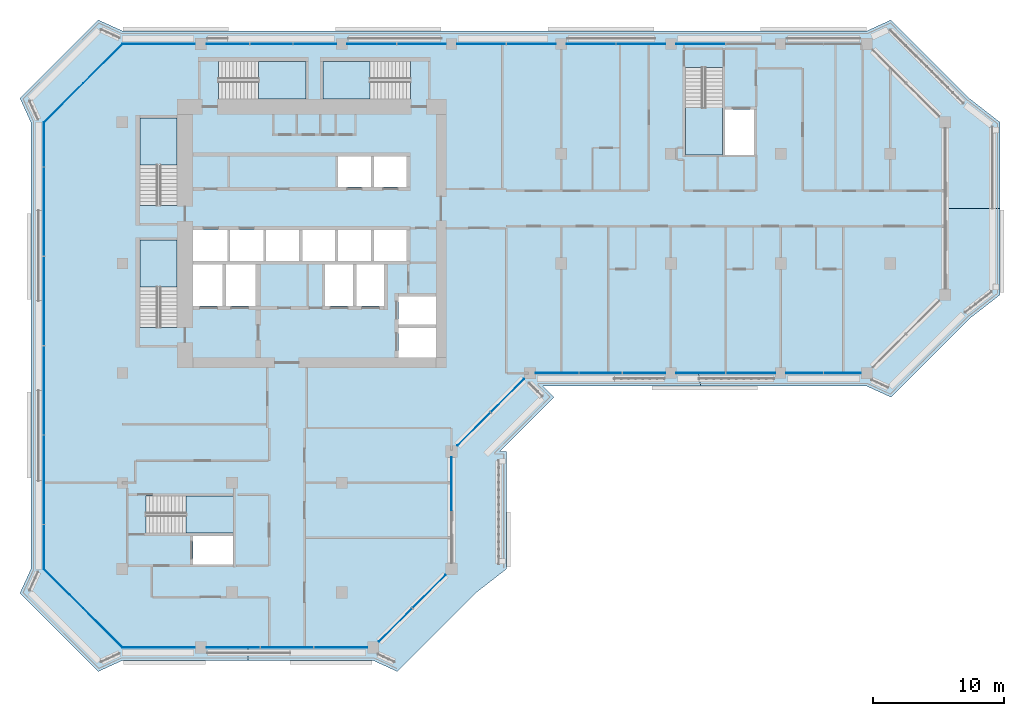
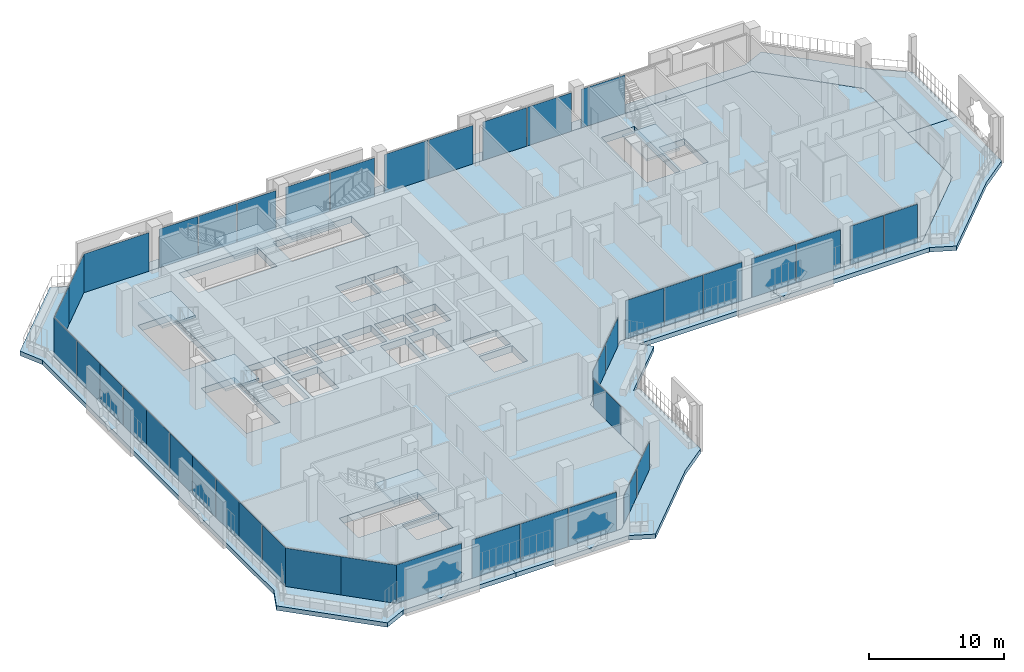
# One storey, part 8 of 21: 41 plates, 10 slabs, 15 elements without a shape of their own.
"""IFC4 building model written with IfcOpenShell, lengths in metres."""

from ifc_helpers import new_model, si_unit, direction, frame, origin, origin_2d, place, context, subcontext, project, spatial, polyline, rectangle, outline, extrude, material, layer, layer_set, type_object, element, aggregate, save


model = new_model("IFC4")

# Units and contexts
model_context = context("Model", 3, precision=1e-05, world=origin(), true_north=direction((0.0, 1.0)))
body_context = subcontext(model_context, "Body", "Model", "MODEL_VIEW")
ifc_project = project(units=[si_unit("LENGTHUNIT", "METRE"), si_unit("AREAUNIT", "SQUARE_METRE"), si_unit("VOLUMEUNIT", "CUBIC_METRE"), si_unit("PLANEANGLEUNIT", "RADIAN"), si_unit("MASSUNIT", "GRAM", prefix="KILO")], contexts=[model_context])

# Site, building, storey
site_placement = place(None, origin())
site = spatial("IfcSite", under=ifc_project, at=site_placement, CompositionType="ELEMENT")
building_placement = place(site_placement, origin())
building = spatial("IfcBuilding", under=site, at=building_placement, Name="Kawkab Arch Medical Tower", CompositionType="ELEMENT")
storey_placement = place(building_placement, frame((0.0, 0.0, 243.199951171875)))
storey = spatial("IfcBuildingStorey", under=building, at=storey_placement, Name="L56", CompositionType="ELEMENT", Elevation=243.199951171875)

# Curtain wall, plates
ifc_material_1 = material(Name="Bronze anodised aluminium curtain wall frame", Category="aluminium")
ifc_layer_1 = layer(ifc_material_1, 0.159912109375)
ifc_layer_set_1 = layer_set([ifc_layer_1], Name="Bronze anodised aluminium curtain wall frame")
curtain_wall_type_1 = type_object("IfcCurtainWallType", Name="CW1 ward curtain wall", PredefinedType="NOTDEFINED", material=ifc_layer_set_1)
placement_1 = place(storey_placement, origin())
curtain_wall_1 = element("IfcCurtainWall", 1, at=placement_1, inside=storey, type_object=curtain_wall_type_1, Name="CW1 Ward curtain wall R01", PredefinedType="NOTDEFINED")
ifc_material_2 = material(Name="Tinted insulating glass, bronze low-e coating", Category="glass")
ifc_layer_2 = layer(ifc_material_2, 0.031982421875)
ifc_layer_set_2 = layer_set([ifc_layer_2], Name="Tinted insulating glass, bronze low-e coating")
plate_type_1 = type_object("IfcPlateType", Name="CW1 glazing unit 32", PredefinedType="CURTAIN_PANEL", material=ifc_layer_set_2)
plate_1_placement = place(storey_placement, frame((-6.0, -7.695068359375, 0.0), z_axis=(0.0, 0.0, 1.0), x_axis=(0.0, -1.0, 0.0)))
plate_1 = element("IfcPlate", 2, at=plate_1_placement, type_object=plate_type_1, Name="CW1 glazing unit 1.1", PredefinedType="CURTAIN_PANEL", context=body_context, shape_type="SweptSolid", body=[
    extrude(rectangle(XDim=3.389892578125, YDim=0.031982421875, at=origin_2d()), origin(), (0.0, 0.0, 1.0), 3.47998046875),
])
plate_2_placement = place(storey_placement, frame((-6.0, -11.14501953125, 0.0), z_axis=(0.0, 0.0, 1.0), x_axis=(0.0, -1.0, 0.0)))
plate_2 = element("IfcPlate", 3, at=plate_2_placement, type_object=plate_type_1, Name="CW1 glazing unit 1.2", PredefinedType="CURTAIN_PANEL", context=body_context, shape_type="SweptSolid", body=[
    extrude(rectangle(XDim=3.389892578125, YDim=0.031982421875, at=origin_2d()), origin(), (0.0, 0.0, 1.0), 3.47998046875),
])
plate_3_placement = place(storey_placement, frame((-6.0, -14.534912109375, 0.0), z_axis=(0.0, 0.0, 1.0), x_axis=(0.0, -1.0, 0.0)))
plate_3 = element("IfcPlate", 4, at=plate_3_placement, type_object=plate_type_1, Name="CW1 glazing unit 2.1", PredefinedType="CURTAIN_PANEL", context=body_context, shape_type="SweptSolid", body=[
    extrude(rectangle(XDim=3.389892578125, YDim=0.031982421875, at=origin_2d()), origin(), (0.0, 0.0, 1.0), 3.47998046875),
])
plate_4_placement = place(storey_placement, frame((-6.0, -17.985107421875, 0.0), z_axis=(0.0, 0.0, 1.0), x_axis=(0.0, -1.0, 0.0)))
plate_4 = element("IfcPlate", 5, at=plate_4_placement, type_object=plate_type_1, Name="CW1 glazing unit 2.2", PredefinedType="CURTAIN_PANEL", context=body_context, shape_type="SweptSolid", body=[
    extrude(rectangle(XDim=3.389892578125, YDim=0.031982421875, at=origin_2d()), origin(), (0.0, 0.0, 1.0), 3.47998046875),
])
plate_5_placement = place(storey_placement, frame((-6.0, -21.375, 0.0), z_axis=(0.0, 0.0, 1.0), x_axis=(0.0, -1.0, 0.0)))
plate_5 = element("IfcPlate", 6, at=plate_5_placement, type_object=plate_type_1, Name="CW1 glazing unit 3.1", PredefinedType="CURTAIN_PANEL", context=body_context, shape_type="SweptSolid", body=[
    extrude(rectangle(XDim=3.389892578125, YDim=0.031982421875, at=origin_2d()), origin(), (0.0, 0.0, 1.0), 3.47998046875),
])
plate_6_placement = place(storey_placement, frame((-6.0, -24.824951171875, 0.0), z_axis=(0.0, 0.0, 1.0), x_axis=(0.0, -1.0, 0.0)))
plate_6 = element("IfcPlate", 7, at=plate_6_placement, type_object=plate_type_1, Name="CW1 glazing unit 3.2", PredefinedType="CURTAIN_PANEL", context=body_context, shape_type="SweptSolid", body=[
    extrude(rectangle(XDim=3.389892578125, YDim=0.031982421875, at=origin_2d()), origin(), (0.0, 0.0, 1.0), 3.47998046875),
])
plate_7_placement = place(storey_placement, frame((-6.0, -28.215087890625, 0.0), z_axis=(0.0, 0.0, 1.0), x_axis=(0.0, -1.0, 0.0)))
plate_7 = element("IfcPlate", 8, at=plate_7_placement, type_object=plate_type_1, Name="CW1 glazing unit 4.1", PredefinedType="CURTAIN_PANEL", context=body_context, shape_type="SweptSolid", body=[
    extrude(rectangle(XDim=3.389892578125, YDim=0.031982421875, at=origin_2d()), origin(), (0.0, 0.0, 1.0), 3.47998046875),
])
plate_8_placement = place(storey_placement, frame((-6.0, -31.6650390625, 0.0), z_axis=(0.0, 0.0, 1.0), x_axis=(0.0, -1.0, 0.0)))
plate_8 = element("IfcPlate", 9, at=plate_8_placement, type_object=plate_type_1, Name="CW1 glazing unit 4.2", PredefinedType="CURTAIN_PANEL", context=body_context, shape_type="SweptSolid", body=[
    extrude(rectangle(XDim=3.389892578125, YDim=0.031982421875, at=origin_2d()), origin(), (0.0, 0.0, 1.0), 3.47998046875),
])
plate_9_placement = place(storey_placement, frame((-6.0, -35.054931640625, 0.0), z_axis=(0.0, 0.0, 1.0), x_axis=(0.0, -1.0, 0.0)))
plate_9 = element("IfcPlate", 10, at=plate_9_placement, type_object=plate_type_1, Name="CW1 glazing unit 5.1", PredefinedType="CURTAIN_PANEL", context=body_context, shape_type="SweptSolid", body=[
    extrude(rectangle(XDim=3.389892578125, YDim=0.031982421875, at=origin_2d()), origin(), (0.0, 0.0, 1.0), 3.47998046875),
])
plate_10_placement = place(storey_placement, frame((-6.0, -38.5048828125, 0.0), z_axis=(0.0, 0.0, 1.0), x_axis=(0.0, -1.0, 0.0)))
plate_10 = element("IfcPlate", 11, at=plate_10_placement, type_object=plate_type_1, Name="CW1 glazing unit 5.2", PredefinedType="CURTAIN_PANEL", context=body_context, shape_type="SweptSolid", body=[
    extrude(rectangle(XDim=3.389892578125, YDim=0.031982421875, at=origin_2d()), origin(), (0.0, 0.0, 1.0), 3.47998046875),
])
aggregate(curtain_wall_1, [plate_1, plate_2, plate_3, plate_4, plate_5, plate_6, plate_7, plate_8, plate_9, plate_10])

curtain_wall_2 = element("IfcCurtainWall", 12, at=placement_1, inside=storey, type_object=curtain_wall_type_1, Name="CW1 Ward curtain wall R03", PredefinedType="NOTDEFINED")
plate_11_placement = place(storey_placement, frame((2.77490234375, -46.199951171875, 0.0), z_axis=(0.0, 0.0, 1.0), x_axis=(1.0, 0.0, 0.0)))
plate_11 = element("IfcPlate", 13, at=plate_11_placement, type_object=plate_type_1, Name="CW1 glazing unit 1.1", PredefinedType="CURTAIN_PANEL", context=body_context, shape_type="SweptSolid", body=[
    extrude(rectangle(XDim=5.550048828125, YDim=0.031982421875, at=origin_2d()), origin(), (0.0, 0.0, 1.0), 3.47998046875),
])
plate_12_placement = place(storey_placement, frame((8.485107421875, -46.199951171875, 0.0), z_axis=(0.0, 0.0, 1.0), x_axis=(1.0, 0.0, 0.0)))
plate_12 = element("IfcPlate", 14, at=plate_12_placement, type_object=plate_type_1, Name="CW1 glazing unit 2.1", PredefinedType="CURTAIN_PANEL", context=body_context, shape_type="SweptSolid", body=[
    extrude(rectangle(XDim=4.070068359375, YDim=0.031982421875, at=origin_2d()), origin(), (0.0, 0.0, 1.0), 3.47998046875),
])
plate_13_placement = place(storey_placement, frame((12.60009765625, -46.199951171875, 0.0), z_axis=(0.0, 0.0, 1.0), x_axis=(1.0, 0.0, 0.0)))
plate_13 = element("IfcPlate", 15, at=plate_13_placement, type_object=plate_type_1, Name="CW1 glazing unit 2.2", PredefinedType="CURTAIN_PANEL", context=body_context, shape_type="SweptSolid", body=[
    extrude(rectangle(XDim=4.0400390625, YDim=0.031982421875, at=origin_2d()), origin(), (0.0, 0.0, 1.0), 3.47998046875),
])
plate_14_placement = place(storey_placement, frame((16.715087890625, -46.199951171875, 0.0), z_axis=(0.0, 0.0, 1.0), x_axis=(1.0, 0.0, 0.0)))
plate_14 = element("IfcPlate", 16, at=plate_14_placement, type_object=plate_type_1, Name="CW1 glazing unit 2.3", PredefinedType="CURTAIN_PANEL", context=body_context, shape_type="SweptSolid", body=[
    extrude(rectangle(XDim=4.070068359375, YDim=0.031982421875, at=origin_2d()), origin(), (0.0, 0.0, 1.0), 3.47998046875),
])
aggregate(curtain_wall_2, [plate_11, plate_12, plate_13, plate_14])

# Curtain wall, plate
curtain_wall_3 = element("IfcCurtainWall", 17, at=placement_1, inside=storey, type_object=curtain_wall_type_1, Name="CW1 Ward curtain wall R05", PredefinedType="NOTDEFINED")
plate_15_placement = place(storey_placement, frame((25.199951171875, -33.675048828125, 0.0), z_axis=(0.0, 0.0, 1.0), x_axis=(0.0, 1.0, 0.0)))
plate_15 = element("IfcPlate", 18, at=plate_15_placement, type_object=plate_type_1, Name="CW1 glazing unit 1.2", PredefinedType="CURTAIN_PANEL", context=body_context, shape_type="SweptSolid", body=[
    extrude(rectangle(XDim=4.050048828125, YDim=0.031982421875, at=origin_2d()), origin(), (0.0, 0.0, 1.0), 2.580078125),
])
aggregate(curtain_wall_3, [plate_15])

# Curtain wall, plates
curtain_wall_4 = element("IfcCurtainWall", 19, at=placement_1, inside=storey, type_object=curtain_wall_type_1, Name="CW1 Ward curtain wall R07", PredefinedType="NOTDEFINED")
plate_16_placement = place(storey_placement, frame((33.2890625, -25.199951171875, 0.0), z_axis=(0.0, 0.0, 1.0), x_axis=(1.0, 0.0, 0.0)))
plate_16 = element("IfcPlate", 20, at=plate_16_placement, type_object=plate_type_1, Name="CW1 glazing unit 1.1", PredefinedType="CURTAIN_PANEL", context=body_context, shape_type="SweptSolid", body=[
    extrude(rectangle(XDim=3.2783203125, YDim=0.031982421875, at=origin_2d()), origin(), (0.0, 0.0, 1.0), 3.47998046875),
])
plate_17_placement = place(storey_placement, frame((36.612548828125, -25.199951171875, 0.0), z_axis=(0.0, 0.0, 1.0), x_axis=(1.0, 0.0, 0.0)))
plate_17 = element("IfcPlate", 21, at=plate_17_placement, type_object=plate_type_1, Name="CW1 glazing unit 1.2", PredefinedType="CURTAIN_PANEL", context=body_context, shape_type="SweptSolid", body=[
    extrude(rectangle(XDim=3.248291015625, YDim=0.031982421875, at=origin_2d()), origin(), (0.0, 0.0, 1.0), 3.47998046875),
])
plate_18_placement = place(storey_placement, frame((39.935791015625, -25.199951171875, 0.0), z_axis=(0.0, 0.0, 1.0), x_axis=(1.0, 0.0, 0.0)))
plate_18 = element("IfcPlate", 22, at=plate_18_placement, type_object=plate_type_1, Name="CW1 glazing unit 1.3", PredefinedType="CURTAIN_PANEL", context=body_context, shape_type="SweptSolid", body=[
    extrude(rectangle(XDim=3.2783203125, YDim=0.031982421875, at=origin_2d()), origin(), (0.0, 0.0, 1.0), 3.47998046875),
])
plate_19_placement = place(storey_placement, frame((44.297607421875, -25.199951171875, 0.0), z_axis=(0.0, 0.0, 1.0), x_axis=(1.0, 0.0, 0.0)))
plate_19 = element("IfcPlate", 23, at=plate_19_placement, type_object=plate_type_1, Name="CW1 glazing unit 2.1", PredefinedType="CURTAIN_PANEL", context=body_context, shape_type="SweptSolid", body=[
    extrude(rectangle(XDim=3.7451171875, YDim=0.031982421875, at=origin_2d()), origin(), (0.0, 0.0, 1.0), 3.47998046875),
])
plate_20_placement = place(storey_placement, frame((48.1025390625, -25.199951171875, 0.0), z_axis=(0.0, 0.0, 1.0), x_axis=(1.0, 0.0, 0.0)))
plate_20 = element("IfcPlate", 24, at=plate_20_placement, type_object=plate_type_1, Name="CW1 glazing unit 2.2", PredefinedType="CURTAIN_PANEL", context=body_context, shape_type="SweptSolid", body=[
    extrude(rectangle(XDim=3.7451171875, YDim=0.031982421875, at=origin_2d()), origin(), (0.0, 0.0, 1.0), 3.47998046875),
])
plate_21_placement = place(storey_placement, frame((52.2412109375, -25.199951171875, 0.0), z_axis=(0.0, 0.0, 1.0), x_axis=(1.0, 0.0, 0.0)))
plate_21 = element("IfcPlate", 25, at=plate_21_placement, type_object=plate_type_1, Name="CW1 glazing unit 3.1", PredefinedType="CURTAIN_PANEL", context=body_context, shape_type="SweptSolid", body=[
    extrude(rectangle(XDim=2.83251953125, YDim=0.031982421875, at=origin_2d()), origin(), (0.0, 0.0, 1.0), 3.47998046875),
])
plate_22_placement = place(storey_placement, frame((55.1337890625, -25.199951171875, 0.0), z_axis=(0.0, 0.0, 1.0), x_axis=(1.0, 0.0, 0.0)))
plate_22 = element("IfcPlate", 26, at=plate_22_placement, type_object=plate_type_1, Name="CW1 glazing unit 3.2", PredefinedType="CURTAIN_PANEL", context=body_context, shape_type="SweptSolid", body=[
    extrude(rectangle(XDim=2.83251953125, YDim=0.031982421875, at=origin_2d()), origin(), (0.0, 0.0, 1.0), 3.47998046875),
])
aggregate(curtain_wall_4, [plate_16, plate_17, plate_18, plate_19, plate_20, plate_21, plate_22])

curtain_wall_5 = element("IfcCurtainWall", 27, at=placement_1, inside=storey, type_object=curtain_wall_type_1, Name="CW1 Ward curtain wall R11", PredefinedType="NOTDEFINED")
plate_23_placement = place(storey_placement, frame((44.297607421875, 0.0, 0.0), z_axis=(0.0, 0.0, 1.0), x_axis=(-1.0, 0.0, 0.0)))
plate_23 = element("IfcPlate", 28, at=plate_23_placement, type_object=plate_type_1, Name="CW1 glazing unit 2.2", PredefinedType="CURTAIN_PANEL", context=body_context, shape_type="SweptSolid", body=[
    extrude(rectangle(XDim=3.7451171875, YDim=0.031982421875, at=origin_2d()), origin(), (0.0, 0.0, 1.0), 3.47998046875),
])
plate_24_placement = place(storey_placement, frame((39.702392578125, 0.0, 0.0), z_axis=(0.0, 0.0, 1.0), x_axis=(-1.0, 0.0, 0.0)))
plate_24 = element("IfcPlate", 29, at=plate_24_placement, type_object=plate_type_1, Name="CW1 glazing unit 3.1", PredefinedType="CURTAIN_PANEL", context=body_context, shape_type="SweptSolid", body=[
    extrude(rectangle(XDim=3.7451171875, YDim=0.031982421875, at=origin_2d()), origin(), (0.0, 0.0, 1.0), 3.47998046875),
])
plate_25_placement = place(storey_placement, frame((35.8974609375, 0.0, 0.0), z_axis=(0.0, 0.0, 1.0), x_axis=(-1.0, 0.0, 0.0)))
plate_25 = element("IfcPlate", 30, at=plate_25_placement, type_object=plate_type_1, Name="CW1 glazing unit 3.2", PredefinedType="CURTAIN_PANEL", context=body_context, shape_type="SweptSolid", body=[
    extrude(rectangle(XDim=3.7451171875, YDim=0.031982421875, at=origin_2d()), origin(), (0.0, 0.0, 1.0), 3.47998046875),
])
plate_26_placement = place(storey_placement, frame((31.302490234375, 0.0, 0.0), z_axis=(0.0, 0.0, 1.0), x_axis=(-1.0, 0.0, 0.0)))
plate_26 = element("IfcPlate", 31, at=plate_26_placement, type_object=plate_type_1, Name="CW1 glazing unit 4.1", PredefinedType="CURTAIN_PANEL", context=body_context, shape_type="SweptSolid", body=[
    extrude(rectangle(XDim=3.7451171875, YDim=0.031982421875, at=origin_2d()), origin(), (0.0, 0.0, 1.0), 3.47998046875),
])
plate_27_placement = place(storey_placement, frame((27.49755859375, 0.0, 0.0), z_axis=(0.0, 0.0, 1.0), x_axis=(-1.0, 0.0, 0.0)))
plate_27 = element("IfcPlate", 32, at=plate_27_placement, type_object=plate_type_1, Name="CW1 glazing unit 4.2", PredefinedType="CURTAIN_PANEL", context=body_context, shape_type="SweptSolid", body=[
    extrude(rectangle(XDim=3.7451171875, YDim=0.031982421875, at=origin_2d()), origin(), (0.0, 0.0, 1.0), 3.47998046875),
])
plate_28_placement = place(storey_placement, frame((22.902587890625, 0.0, 0.0), z_axis=(0.0, 0.0, 1.0), x_axis=(-1.0, 0.0, 0.0)))
plate_28 = element("IfcPlate", 33, at=plate_28_placement, type_object=plate_type_1, Name="CW1 glazing unit 5.1", PredefinedType="CURTAIN_PANEL", context=body_context, shape_type="SweptSolid", body=[
    extrude(rectangle(XDim=3.7451171875, YDim=0.031982421875, at=origin_2d()), origin(), (0.0, 0.0, 1.0), 3.47998046875),
])
plate_29_placement = place(storey_placement, frame((19.097412109375, 0.0, 0.0), z_axis=(0.0, 0.0, 1.0), x_axis=(-1.0, 0.0, 0.0)))
plate_29 = element("IfcPlate", 34, at=plate_29_placement, type_object=plate_type_1, Name="CW1 glazing unit 5.2", PredefinedType="CURTAIN_PANEL", context=body_context, shape_type="SweptSolid", body=[
    extrude(rectangle(XDim=3.7451171875, YDim=0.031982421875, at=origin_2d()), origin(), (0.0, 0.0, 1.0), 3.47998046875),
])
plate_30_placement = place(storey_placement, frame((14.73583984375, 0.0, 0.0), z_axis=(0.0, 0.0, 1.0), x_axis=(-1.0, 0.0, 0.0)))
plate_30 = element("IfcPlate", 35, at=plate_30_placement, type_object=plate_type_1, Name="CW1 glazing unit 6.1", PredefinedType="CURTAIN_PANEL", context=body_context, shape_type="SweptSolid", body=[
    extrude(rectangle(XDim=3.2783203125, YDim=0.031982421875, at=origin_2d()), origin(), (0.0, 0.0, 1.0), 3.47998046875),
])
plate_31_placement = place(storey_placement, frame((11.41259765625, 0.0, 0.0), z_axis=(0.0, 0.0, 1.0), x_axis=(-1.0, 0.0, 0.0)))
plate_31 = element("IfcPlate", 36, at=plate_31_placement, type_object=plate_type_1, Name="CW1 glazing unit 6.2", PredefinedType="CURTAIN_PANEL", context=body_context, shape_type="SweptSolid", body=[
    extrude(rectangle(XDim=3.248291015625, YDim=0.031982421875, at=origin_2d()), origin(), (0.0, 0.0, 1.0), 3.47998046875),
])
plate_32_placement = place(storey_placement, frame((8.089111328125, 0.0, 0.0), z_axis=(0.0, 0.0, 1.0), x_axis=(-1.0, 0.0, 0.0)))
plate_32 = element("IfcPlate", 37, at=plate_32_placement, type_object=plate_type_1, Name="CW1 glazing unit 6.3", PredefinedType="CURTAIN_PANEL", context=body_context, shape_type="SweptSolid", body=[
    extrude(rectangle(XDim=3.2783203125, YDim=0.031982421875, at=origin_2d()), origin(), (0.0, 0.0, 1.0), 3.47998046875),
])
plate_33_placement = place(storey_placement, frame((2.77490234375, 0.0, 0.0), z_axis=(0.0, 0.0, 1.0), x_axis=(-1.0, 0.0, 0.0)))
plate_33 = element("IfcPlate", 38, at=plate_33_placement, type_object=plate_type_1, Name="CW1 glazing unit 7.1", PredefinedType="CURTAIN_PANEL", context=body_context, shape_type="SweptSolid", body=[
    extrude(rectangle(XDim=5.550048828125, YDim=0.031982421875, at=origin_2d()), origin(), (0.0, 0.0, 1.0), 3.47998046875),
])
aggregate(curtain_wall_5, [plate_23, plate_24, plate_25, plate_26, plate_27, plate_28, plate_29, plate_30, plate_31, plate_32, plate_33])

ifc_material_3 = material(Name="Bronze anodised aluminium curtain wall frame", Category="aluminium")
ifc_layer_3 = layer(ifc_material_3, 0.159912109375)
ifc_layer_set_3 = layer_set([ifc_layer_3], Name="Bronze anodised aluminium curtain wall frame")
curtain_wall_type_2 = type_object("IfcCurtainWallType", Name="CW2 chamfer curtain wall", PredefinedType="NOTDEFINED", material=ifc_layer_set_3)
curtain_wall_6 = element("IfcCurtainWall", 39, at=placement_1, inside=storey, type_object=curtain_wall_type_2, Name="CW2 Chamfer curtain wall R02", PredefinedType="NOTDEFINED")
ifc_material_4 = material(Name="Tinted insulating glass, bronze low-e coating", Category="glass")
ifc_layer_4 = layer(ifc_material_4, 0.031982421875)
ifc_layer_set_4 = layer_set([ifc_layer_4], Name="Tinted insulating glass, bronze low-e coating")
plate_type_2 = type_object("IfcPlateType", Name="CW2 glazing unit 32", PredefinedType="CURTAIN_PANEL", material=ifc_layer_set_4)
plate_34_placement = place(storey_placement, frame((-4.5, -41.699951171875, 0.0), z_axis=(0.0, 0.0, 1.0), x_axis=(0.707106781187, -0.707106781187, 0.0)))
plate_34 = element("IfcPlate", 40, at=plate_34_placement, type_object=plate_type_2, Name="CW2 glazing unit 1.1", PredefinedType="CURTAIN_PANEL", context=body_context, shape_type="SweptSolid", body=[
    extrude(rectangle(XDim=4.24267578125, YDim=0.031982421875, at=origin_2d()), origin(), (0.0, 0.0, 1.0), 3.4599609375),
])
plate_35_placement = place(storey_placement, frame((-1.5, -44.699951171875, 0.0), z_axis=(0.0, 0.0, 1.0), x_axis=(0.707106781187, -0.707106781187, 0.0)))
plate_35 = element("IfcPlate", 41, at=plate_35_placement, type_object=plate_type_2, Name="CW2 glazing unit 2.1", PredefinedType="CURTAIN_PANEL", context=body_context, shape_type="SweptSolid", body=[
    extrude(rectangle(XDim=4.24267578125, YDim=0.031982421875, at=origin_2d()), origin(), (0.0, 0.0, 1.0), 3.4599609375),
])
aggregate(curtain_wall_6, [plate_34, plate_35])

curtain_wall_7 = element("IfcCurtainWall", 42, at=placement_1, inside=storey, type_object=curtain_wall_type_2, Name="CW2 Chamfer curtain wall R04", PredefinedType="NOTDEFINED")
plate_36_placement = place(storey_placement, frame((20.914306640625, -44.485595703125, 0.0), z_axis=(0.0, 0.0, 1.0), x_axis=(0.707106781187, 0.707106781187, 0.0)))
plate_36 = element("IfcPlate", 43, at=plate_36_placement, type_object=plate_type_2, Name="CW2 glazing unit 1.1", PredefinedType="CURTAIN_PANEL", context=body_context, shape_type="SweptSolid", body=[
    extrude(rectangle(XDim=3.576171875, YDim=0.031982421875, at=origin_2d()), origin(), (0.0, 0.0, 1.0), 2.56005859375),
])
plate_37_placement = place(storey_placement, frame((23.485595703125, -41.914306640625, 0.0), z_axis=(0.0, 0.0, 1.0), x_axis=(0.707106781187, 0.707106781187, 0.0)))
plate_37 = element("IfcPlate", 44, at=plate_37_placement, type_object=plate_type_2, Name="CW2 glazing unit 1.2", PredefinedType="CURTAIN_PANEL", context=body_context, shape_type="SweptSolid", body=[
    extrude(rectangle(XDim=3.576171875, YDim=0.031982421875, at=origin_2d()), origin(), (0.0, 0.0, 1.0), 2.56005859375),
])
aggregate(curtain_wall_7, [plate_36, plate_37])

curtain_wall_8 = element("IfcCurtainWall", 45, at=placement_1, inside=storey, type_object=curtain_wall_type_2, Name="CW2 Chamfer curtain wall R06", PredefinedType="NOTDEFINED")
plate_38_placement = place(storey_placement, frame((26.914306640625, -29.485595703125, 0.0), z_axis=(0.0, 0.0, 1.0), x_axis=(0.707106781187, 0.707106781187, 0.0)))
plate_38 = element("IfcPlate", 46, at=plate_38_placement, type_object=plate_type_2, Name="CW2 glazing unit 1.1", PredefinedType="CURTAIN_PANEL", context=body_context, shape_type="SweptSolid", body=[
    extrude(rectangle(XDim=3.576171875, YDim=0.031982421875, at=origin_2d()), origin(), (0.0, 0.0, 1.0), 2.56005859375),
])
plate_39_placement = place(storey_placement, frame((29.485595703125, -26.914306640625, 0.0), z_axis=(0.0, 0.0, 1.0), x_axis=(0.707106781187, 0.707106781187, 0.0)))
plate_39 = element("IfcPlate", 47, at=plate_39_placement, type_object=plate_type_2, Name="CW2 glazing unit 1.2", PredefinedType="CURTAIN_PANEL", context=body_context, shape_type="SweptSolid", body=[
    extrude(rectangle(XDim=3.576171875, YDim=0.031982421875, at=origin_2d()), origin(), (0.0, 0.0, 1.0), 2.56005859375),
])
aggregate(curtain_wall_8, [plate_38, plate_39])

curtain_wall_9 = element("IfcCurtainWall", 48, at=placement_1, inside=storey, type_object=curtain_wall_type_2, Name="CW2 Chamfer curtain wall R12", PredefinedType="NOTDEFINED")
plate_40_placement = place(storey_placement, frame((-1.5, -1.5, 0.0), z_axis=(0.0, 0.0, 1.0), x_axis=(-0.707106781187, -0.707106781187, 0.0)))
plate_40 = element("IfcPlate", 49, at=plate_40_placement, type_object=plate_type_2, Name="CW2 glazing unit 1.1", PredefinedType="CURTAIN_PANEL", context=body_context, shape_type="SweptSolid", body=[
    extrude(rectangle(XDim=4.24267578125, YDim=0.031982421875, at=origin_2d()), origin(), (0.0, 0.0, 1.0), 3.4599609375),
])
plate_41_placement = place(storey_placement, frame((-4.5, -4.5, 0.0), z_axis=(0.0, 0.0, 1.0), x_axis=(-0.707106781187, -0.707106781187, 0.0)))
plate_41 = element("IfcPlate", 50, at=plate_41_placement, type_object=plate_type_2, Name="CW2 glazing unit 2.1", PredefinedType="CURTAIN_PANEL", context=body_context, shape_type="SweptSolid", body=[
    extrude(rectangle(XDim=4.24267578125, YDim=0.031982421875, at=origin_2d()), origin(), (0.0, 0.0, 1.0), 3.4599609375),
])
aggregate(curtain_wall_9, [plate_40, plate_41])

# Stair, slab
ifc_material_5 = material(Name="Concrete C40/50", Category="concrete")
stair_type = type_object("IfcStairType", Name="Exit stair 1350", PredefinedType="HALF_TURN_STAIR", material=ifc_material_5)
stair_1 = element("IfcStair", 51, at=placement_1, inside=storey, type_object=stair_type, Name="L56 Exit stair ST1", PredefinedType="HALF_TURN_STAIR")
ifc_material_6 = material(Name="Concrete C40/50", Category="concrete")
ifc_layer_5 = layer(ifc_material_6, 0.199951171875)
ifc_layer_set_5 = layer_set([ifc_layer_5], Name="Concrete C40/50")
slab_type_1 = type_object("IfcSlabType", Name="Exit stair landing 200", PredefinedType="LANDING", material=ifc_layer_set_5)
placement_2 = place(storey_placement, frame((0.0, 0.0, 1.900146484375)))
slab_1 = element("IfcSlab", 52, at=placement_2, type_object=slab_type_1, Name="ST1 landing 1", PredefinedType="LANDING", context=body_context, shape_type="SweptSolid", body=[
    extrude(outline(polyline([(4.199951171875, -9.27001953125), (4.199951171875, -5.64990234375), (1.35009765625, -5.64990234375), (1.35009765625, -9.27001953125), (4.199951171875, -9.27001953125)])), origin(), (0.0, 0.0, 1.0), 0.199951171875),
])
aggregate(stair_1, [slab_1])

stair_2 = element("IfcStair", 53, at=placement_1, inside=storey, type_object=stair_type, Name="L56 Exit stair ST2", PredefinedType="HALF_TURN_STAIR")
slab_2 = element("IfcSlab", 54, at=placement_2, type_object=slab_type_1, Name="ST2 landing 1", PredefinedType="LANDING", context=body_context, shape_type="SweptSolid", body=[
    extrude(outline(polyline([(4.199951171875, -18.6201171875), (4.199951171875, -15.0), (1.35009765625, -15.0), (1.35009765625, -18.6201171875), (4.199951171875, -18.6201171875)])), origin(), (0.0, 0.0, 1.0), 0.199951171875),
])
aggregate(stair_2, [slab_2])

stair_3 = element("IfcStair", 55, at=placement_1, inside=storey, type_object=stair_type, Name="L56 Exit stair ST3", PredefinedType="HALF_TURN_STAIR")
slab_3 = element("IfcSlab", 56, at=placement_2, type_object=slab_type_1, Name="ST3 landing 1", PredefinedType="LANDING", context=body_context, shape_type="SweptSolid", body=[
    extrude(outline(polyline([(10.429931640625, -4.199951171875), (14.050048828125, -4.199951171875), (14.050048828125, -1.35009765625), (10.429931640625, -1.35009765625), (10.429931640625, -4.199951171875)])), origin(), (0.0, 0.0, 1.0), 0.199951171875),
])
aggregate(stair_3, [slab_3])

stair_4 = element("IfcStair", 57, at=placement_1, inside=storey, type_object=stair_type, Name="L56 Exit stair ST4", PredefinedType="HALF_TURN_STAIR")
slab_4 = element("IfcSlab", 58, at=placement_2, type_object=slab_type_1, Name="ST4 landing 1", PredefinedType="LANDING", context=body_context, shape_type="SweptSolid", body=[
    extrude(outline(polyline([(18.969970703125, -1.35009765625), (15.35009765625, -1.35009765625), (15.35009765625, -4.199951171875), (18.969970703125, -4.199951171875), (18.969970703125, -1.35009765625)])), origin(), (0.0, 0.0, 1.0), 0.199951171875),
])
aggregate(stair_4, [slab_4])

stair_5 = element("IfcStair", 59, at=placement_1, inside=storey, type_object=stair_type, Name="L56 Exit stair ST5", PredefinedType="HALF_TURN_STAIR")
slab_5 = element("IfcSlab", 60, at=placement_2, type_object=slab_type_1, Name="ST5 landing 1", PredefinedType="LANDING", context=body_context, shape_type="SweptSolid", body=[
    extrude(outline(polyline([(43.10009765625, -4.8798828125), (43.10009765625, -8.5), (45.949951171875, -8.5), (45.949951171875, -4.8798828125), (43.10009765625, -4.8798828125)])), origin(), (0.0, 0.0, 1.0), 0.199951171875),
])
aggregate(stair_5, [slab_5])

stair_6 = element("IfcStair", 61, at=placement_1, inside=storey, type_object=stair_type, Name="L56 Exit stair ST6", PredefinedType="HALF_TURN_STAIR")
slab_6 = element("IfcSlab", 62, at=placement_2, type_object=slab_type_1, Name="ST6 landing 1", PredefinedType="LANDING", context=body_context, shape_type="SweptSolid", body=[
    extrude(outline(polyline([(4.8798828125, -37.449951171875), (8.5, -37.449951171875), (8.5, -34.60009765625), (4.8798828125, -34.60009765625), (4.8798828125, -37.449951171875)])), origin(), (0.0, 0.0, 1.0), 0.199951171875),
])
aggregate(stair_6, [slab_6])

# Slabs
ifc_material_7 = material(Name="Concrete C45/55", Category="concrete")
ifc_layer_6 = layer(ifc_material_7, 0.60009765625)
ifc_layer_set_6 = layer_set([ifc_layer_6], Name="Concrete C45/55")
slab_type_2 = type_object("IfcSlabType", Name="Flat plate 600 C45/55", PredefinedType="FLOOR", material=ifc_layer_set_6)
slab_7_placement = place(storey_placement, frame((0.0, 0.0, -0.599853515625)))
element("IfcSlab", 63, at=slab_7_placement, inside=storey, type_object=slab_type_2, Name="Floor slab L56", PredefinedType="FLOOR", context=body_context, shape_type="SweptSolid", body=[
    extrude(outline(polyline([(0.0, 0.0), (57.0, 0.0), (63.0, -6.0), (63.0, -19.199951171875), (57.0, -25.199951171875), (31.199951171875, -25.199951171875), (25.199951171875, -31.199951171875), (25.199951171875, -40.199951171875), (19.199951171875, -46.199951171875), (0.0, -46.199951171875), (-6.0, -40.199951171875), (-6.0, -6.0), (0.0, 0.0)]), holes=[polyline([(5.425048828125, -37.64990234375), (5.425048828125, -39.85009765625), (8.5, -39.85009765625), (8.5, -37.64990234375), (5.425048828125, -37.64990234375)]), polyline([(8.5, -37.449951171875), (8.5, -34.60009765625), (1.800048828125, -34.60009765625), (1.800048828125, -37.449951171875), (8.5, -37.449951171875)]), polyline([(5.39990234375, -20.050048828125), (7.675048828125, -20.050048828125), (7.675048828125, -16.89990234375), (5.39990234375, -16.89990234375), (5.39990234375, -20.050048828125)]), polyline([(10.199951171875, -20.050048828125), (10.199951171875, -16.89990234375), (7.925048828125, -16.89990234375), (7.925048828125, -20.050048828125), (10.199951171875, -20.050048828125)]), polyline([(4.199951171875, -21.699951171875), (4.199951171875, -15.0), (1.35009765625, -15.0), (1.35009765625, -21.699951171875), (4.199951171875, -21.699951171875)]), polyline([(5.39990234375, -16.60009765625), (8.050048828125, -16.60009765625), (8.050048828125, -14.25), (5.39990234375, -14.25), (5.39990234375, -16.60009765625)]), polyline([(10.800048828125, -16.60009765625), (10.800048828125, -14.25), (8.25, -14.25), (8.25, -16.60009765625), (10.800048828125, -16.60009765625)]), polyline([(11.0, -16.60009765625), (13.52490234375, -16.60009765625), (13.52490234375, -14.25), (11.0, -14.25), (11.0, -16.60009765625)]), polyline([(16.27490234375, -16.60009765625), (16.27490234375, -14.25), (13.77490234375, -14.25), (13.77490234375, -16.60009765625), (16.27490234375, -16.60009765625)]), polyline([(4.199951171875, -12.35009765625), (4.199951171875, -5.64990234375), (1.35009765625, -5.64990234375), (1.35009765625, -12.35009765625), (4.199951171875, -12.35009765625)]), polyline([(7.35009765625, -4.199951171875), (14.050048828125, -4.199951171875), (14.050048828125, -1.35009765625), (7.35009765625, -1.35009765625), (7.35009765625, -4.199951171875)]), polyline([(24.0, -21.72509765625), (21.14990234375, -21.72509765625), (21.14990234375, -24.0), (24.0, -24.0), (24.0, -21.72509765625)]), polyline([(24.0, -19.35009765625), (21.14990234375, -19.35009765625), (21.14990234375, -21.47509765625), (24.0, -21.47509765625), (24.0, -19.35009765625)]), polyline([(15.52490234375, -16.89990234375), (15.52490234375, -20.050048828125), (17.675048828125, -20.050048828125), (17.675048828125, -16.89990234375), (15.52490234375, -16.89990234375)]), polyline([(20.050048828125, -16.89990234375), (17.925048828125, -16.89990234375), (17.925048828125, -20.050048828125), (20.050048828125, -20.050048828125), (20.050048828125, -16.89990234375)]), polyline([(19.02490234375, -14.25), (16.52490234375, -14.25), (16.52490234375, -16.60009765625), (19.02490234375, -16.60009765625), (19.02490234375, -14.25)]), polyline([(21.75, -14.25), (19.27490234375, -14.25), (19.27490234375, -16.60009765625), (21.75, -16.60009765625), (21.75, -14.25)]), polyline([(16.5, -8.60009765625), (16.5, -10.949951171875), (19.050048828125, -10.949951171875), (19.050048828125, -8.60009765625), (16.5, -8.60009765625)]), polyline([(21.75, -8.60009765625), (19.25, -8.60009765625), (19.25, -10.949951171875), (21.75, -10.949951171875), (21.75, -8.60009765625)]), polyline([(46.14990234375, -8.5), (48.35009765625, -8.5), (48.35009765625, -5.02490234375), (46.14990234375, -5.02490234375), (46.14990234375, -8.5)]), polyline([(43.10009765625, -1.800048828125), (43.10009765625, -8.5), (45.949951171875, -8.5), (45.949951171875, -1.800048828125), (43.10009765625, -1.800048828125)]), polyline([(22.050048828125, -1.35009765625), (15.35009765625, -1.35009765625), (15.35009765625, -4.199951171875), (22.050048828125, -4.199951171875), (22.050048828125, -1.35009765625)])]), origin(), (0.0, 0.0, 1.0), 0.599853515625),
])
ifc_material_8 = material(Name="Concrete C40/50", Category="concrete")
ifc_layer_7 = layer(ifc_material_8, 0.39990234375)
ifc_layer_set_7 = layer_set([ifc_layer_7], Name="Concrete C40/50")
slab_type_3 = type_object("IfcSlabType", Name="Loggia slab 400", PredefinedType="FLOOR", material=ifc_layer_set_7)
placement_3 = place(storey_placement, frame((0.0, 0.0, -0.39990234375)))
element("IfcSlab", 64, at=placement_3, inside=storey, type_object=slab_type_3, Name="Loggia slab L56.1", PredefinedType="FLOOR", context=body_context, shape_type="SweptSolid", body=[
    extrude(outline(polyline([(9.60009765625, -46.200927734375), (19.199951171875, -46.200927734375), (19.199951171875, -46.199951171875), (25.199951171875, -40.199951171875), (25.199951171875, -31.199951171875), (31.199951171875, -25.199951171875), (44.10009765625, -25.199951171875), (44.2880859375, -26.199951171875), (32.198974609375, -26.199951171875), (33.037109375, -27.0380859375), (28.8759765625, -31.199951171875), (29.39990234375, -31.199951171875), (29.39990234375, -40.199951171875), (27.0380859375, -42.0380859375), (21.0380859375, -48.0380859375), (19.199951171875, -47.199951171875), (9.60009765625, -47.199951171875), (9.60009765625, -46.200927734375)])), origin(), (0.0, 0.0, 1.0), 0.39990234375),
])
element("IfcSlab", 65, at=placement_3, inside=storey, type_object=slab_type_3, Name="Loggia slab L56.2", PredefinedType="FLOOR", context=body_context, shape_type="SweptSolid", body=[
    extrude(outline(polyline([(64.837890625, -21.0380859375), (58.837890625, -27.0380859375), (57.0, -26.199951171875), (44.2890625, -26.199951171875), (44.10009765625, -25.199951171875), (57.0, -25.199951171875), (63.0, -19.199951171875), (63.0009765625, -19.199951171875), (63.0009765625, -12.60009765625), (67.199951171875, -12.60009765625), (67.199951171875, -19.199951171875), (64.837890625, -21.0380859375)])), origin(), (0.0, 0.0, 1.0), 0.39990234375),
])
element("IfcSlab", 66, at=placement_3, inside=storey, type_object=slab_type_3, Name="Loggia slab L56.4", PredefinedType="FLOOR", context=body_context, shape_type="SweptSolid", body=[
    extrude(outline(polyline([(-7.837890625, -42.037109375), (-7.0, -40.199951171875), (-7.0, -6.0), (-7.837890625, -4.1630859375), (-1.8369140625, 1.837890625), (0.0, 1.0), (57.0, 1.0), (58.8369140625, 1.837890625), (64.837890625, -4.162109375), (67.198974609375, -5.9990234375), (67.198974609375, -6.0009765625), (67.199951171875, -6.0009765625), (67.199951171875, -12.59912109375), (67.198974609375, -12.59912109375), (67.198974609375, -12.60009765625), (63.001953125, -12.60009765625), (63.001953125, -12.59912109375), (63.0009765625, -12.59912109375), (63.0009765625, -6.0), (57.0, 0.0009765625), (0.0, 0.0009765625), (-6.0, -6.0), (-6.0, -40.199951171875), (0.0, -46.200927734375), (9.59912109375, -46.200927734375), (9.59912109375, -46.201904296875), (9.60009765625, -46.201904296875), (9.60009765625, -47.198974609375), (9.59912109375, -47.198974609375), (9.59912109375, -47.199951171875), (0.0, -47.199951171875), (-1.8369140625, -48.0380859375), (-7.837890625, -42.037109375)])), origin(), (0.0, 0.0, 1.0), 0.39990234375),
])

save(model, "model.ifc")
